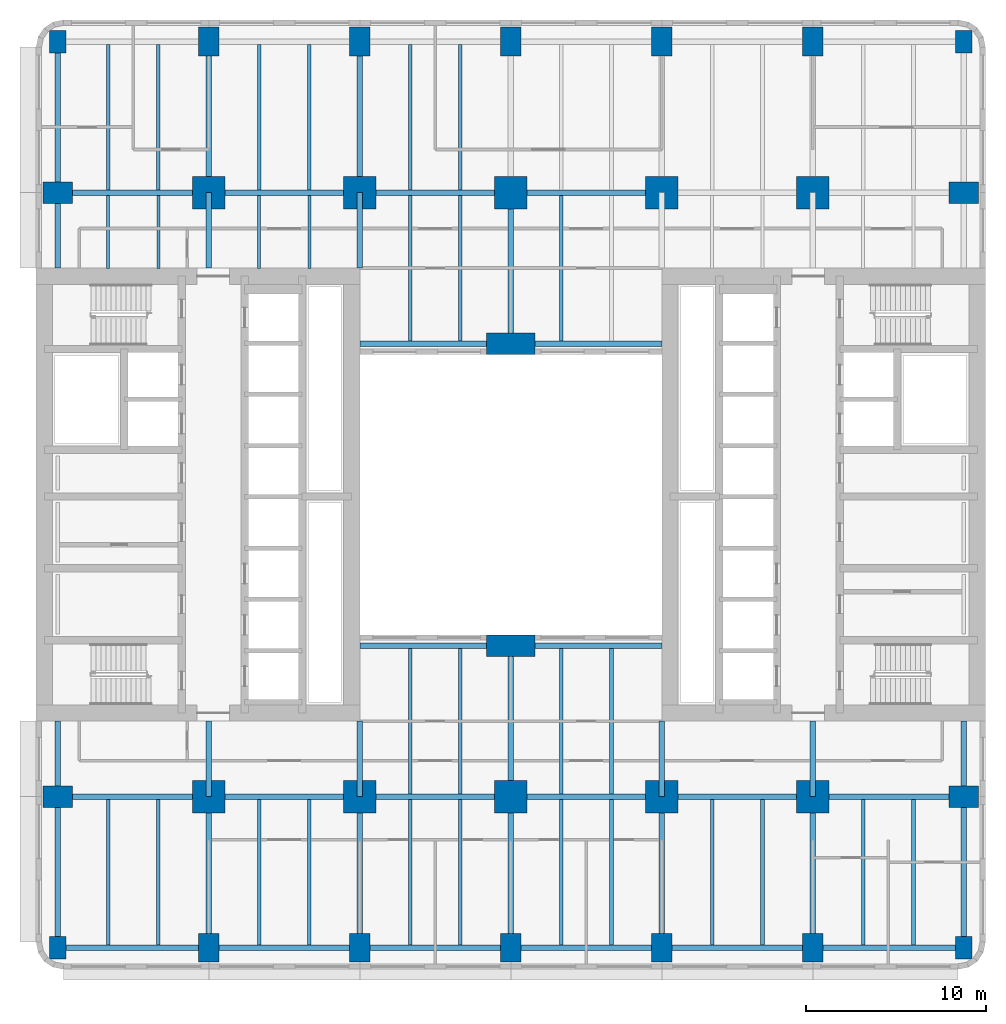
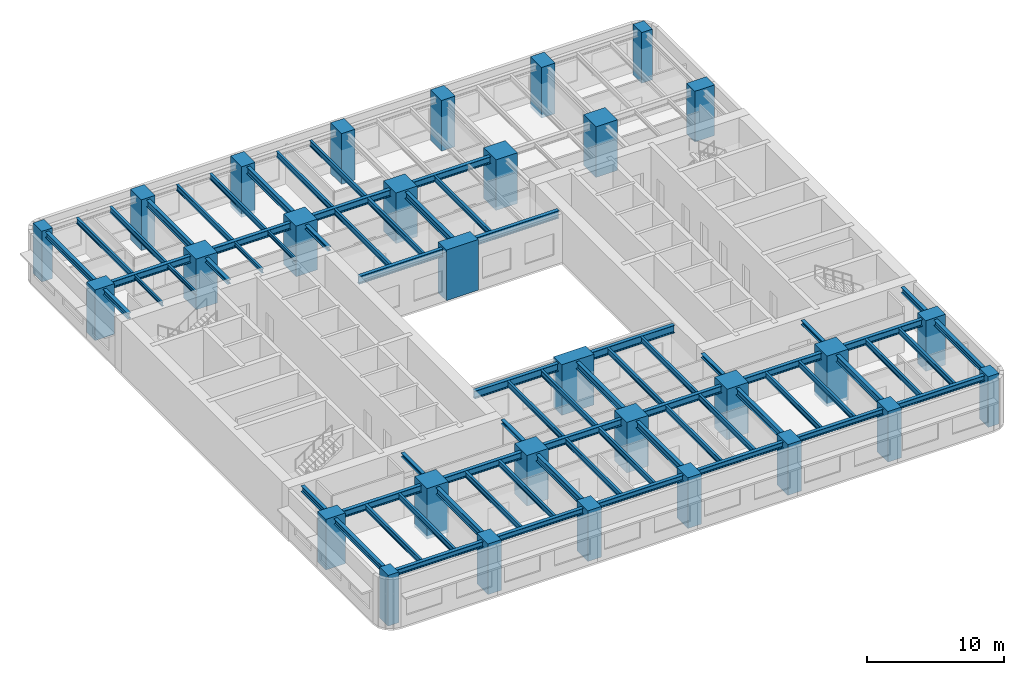
# One storey, part 1 of 14: 70 beams, 30 columns.
"""IFC4 building model written with IfcOpenShell, lengths in metres."""

from ifc_helpers import new_model, si_unit, direction, frame, origin, origin_2d, place, context, subcontext, project, spatial, rectangle, i_section, extrude, material, material_profile, profile_set, type_object, element, save


model = new_model("IFC4")

# Units and contexts
model_context = context("Model", 3, precision=1e-05, world=origin(), true_north=direction((0.0, 1.0)))
body_context = subcontext(model_context, "Body", "Model", "MODEL_VIEW")
ifc_project = project(units=[si_unit("LENGTHUNIT", "METRE"), si_unit("AREAUNIT", "SQUARE_METRE"), si_unit("VOLUMEUNIT", "CUBIC_METRE"), si_unit("PLANEANGLEUNIT", "RADIAN"), si_unit("MASSUNIT", "GRAM", prefix="KILO")], contexts=[model_context])

# Site, building, storey
site_placement = place(None, origin())
site = spatial("IfcSite", under=ifc_project, at=site_placement, CompositionType="ELEMENT")
building_placement = place(site_placement, origin())
building = spatial("IfcBuilding", under=site, at=building_placement, Name="Claustro Exchange Tower", CompositionType="ELEMENT")
storey_placement = place(building_placement, frame((0.0, 0.0, 59.39990234375)))
storey = spatial("IfcBuildingStorey", under=building, at=storey_placement, Name="L13", CompositionType="ELEMENT", Elevation=59.39990234375)

# Columns
ifc_material_1 = material(Name="Concrete HA-70 (C70/85)", Category="concrete")
ifc_material_profile_1 = material_profile(ifc_material_1, rectangle(XDim=1.800048828125, YDim=1.800048828125, at=origin_2d()), Name="RC 1800x1800")
ifc_profile_set_1 = profile_set([ifc_material_profile_1], Name="Concrete HA-70 (C70/85)")
column_type_1 = type_object("IfcColumnType", Name="C14 RC 1800x1800 HA-70 column", PredefinedType="COLUMN", material=ifc_profile_set_1)
for number, where, z_axis, x_axis, name in (
    (1, (8.39990234375, 8.39990234375, 0.0), (0.0, 0.0, 1.0), (1.0, 0.0, 0.0), "Column C14 2/B L13"),
    (2, (8.39990234375, 42.0, 0.0), (0.0, 0.0, 1.0), (1.0, 0.0, 0.0), "Column C14 2/F L13"),
    (3, (16.800048828125, 8.39990234375, 0.0), (0.0, 0.0, 1.0), (1.0, 0.0, 0.0), "Column C14 3/B L13"),
    (4, (16.800048828125, 42.0, 0.0), (0.0, 0.0, 1.0), (1.0, 0.0, 0.0), "Column C14 3/F L13"),
    (5, (25.199951171875, 8.39990234375, 0.0), (0.0, 0.0, 1.0), (1.0, 0.0, 0.0), "Column C14 4/B L13"),
    (6, (25.199951171875, 42.0, 0.0), (0.0, 0.0, 1.0), (1.0, 0.0, 0.0), "Column C14 4/F L13"),
    (7, (33.60009765625, 8.39990234375, 0.0), (0.0, 0.0, 1.0), (1.0, 0.0, 0.0), "Column C14 5/B L13"),
    (8, (33.60009765625, 42.0, 0.0), (0.0, 0.0, 1.0), (1.0, 0.0, 0.0), "Column C14 5/F L13"),
    (9, (42.0, 8.39990234375, 0.0), (0.0, 0.0, 1.0), (1.0, 0.0, 0.0), "Column C14 6/B L13"),
    (10, (42.0, 42.0, 0.0), (0.0, 0.0, 1.0), (1.0, 0.0, 0.0), "Column C14 6/F L13"),
):
    element("IfcColumn", number, at=place(storey_placement, frame(where, z_axis=z_axis, x_axis=x_axis)), inside=storey, type_object=column_type_1, Name=name, PredefinedType="COLUMN", context=body_context, shape_type="SweptSolid", body=[
        extrude(rectangle(XDim=1.800048828125, YDim=1.800048828125, at=origin_2d()), origin(), (0.0, 0.0, 1.0), 4.5),
    ])
ifc_material_2 = material(Name="Concrete HA-70 (C70/85)", Category="concrete")
ifc_material_profile_2 = material_profile(ifc_material_2, rectangle(XDim=1.199951171875, YDim=1.64990234375, at=origin_2d()), Name="RC 1200x1650")
ifc_profile_set_2 = profile_set([ifc_material_profile_2], Name="Concrete HA-70 (C70/85)")
column_type_2 = type_object("IfcColumnType", Name="C19 RC 1200x1650 HA-70 perimeter column", PredefinedType="COLUMN", material=ifc_profile_set_2)
for number, where, z_axis, x_axis, name in (
    (11, (0.0, 8.39990234375, 0.0), (0.0, 0.0, 1.0), (0.0, 1.0, 0.0), "Column C19 1/B L13"),
    (12, (0.0, 42.0, 0.0), (0.0, 0.0, 1.0), (0.0, 1.0, 0.0), "Column C19 1/F L13"),
    (13, (50.39990234375, 8.39990234375, 0.0), (0.0, 0.0, 1.0), (0.0, 1.0, 0.0), "Column C19 7/B L13"),
    (14, (50.39990234375, 42.0, 0.0), (0.0, 0.0, 1.0), (0.0, 1.0, 0.0), "Column C19 7/F L13"),
):
    element("IfcColumn", number, at=place(storey_placement, frame(where, z_axis=z_axis, x_axis=x_axis)), inside=storey, type_object=column_type_2, Name=name, PredefinedType="COLUMN", context=body_context, shape_type="SweptSolid", body=[
        extrude(rectangle(XDim=1.199951171875, YDim=1.64990234375, at=origin_2d()), origin(), (0.0, 0.0, 1.0), 4.5),
    ])
ifc_material_3 = material(Name="Concrete HA-70 (C70/85)", Category="concrete")
ifc_material_profile_3 = material_profile(ifc_material_3, rectangle(XDim=1.14990234375, YDim=1.60009765625, at=origin_2d()), Name="RC 1150x1600")
ifc_profile_set_3 = profile_set([ifc_material_profile_3], Name="Concrete HA-70 (C70/85)")
column_type_3 = type_object("IfcColumnType", Name="C20 RC 1150x1600 HA-70 perimeter column", PredefinedType="COLUMN", material=ifc_profile_set_3)
for number, where, z_axis, x_axis, name in (
    (15, (8.39990234375, 0.0, 0.0), (0.0, 0.0, 1.0), (1.0, 0.0, 0.0), "Column C20 2/A L13"),
    (16, (8.39990234375, 50.39990234375, 0.0), (0.0, 0.0, 1.0), (1.0, 0.0, 0.0), "Column C20 2/G L13"),
    (17, (16.800048828125, 0.0, 0.0), (0.0, 0.0, 1.0), (1.0, 0.0, 0.0), "Column C20 3/A L13"),
    (18, (16.800048828125, 50.39990234375, 0.0), (0.0, 0.0, 1.0), (1.0, 0.0, 0.0), "Column C20 3/G L13"),
    (19, (25.199951171875, 0.0, 0.0), (0.0, 0.0, 1.0), (1.0, 0.0, 0.0), "Column C20 4/A L13"),
    (20, (25.199951171875, 50.39990234375, 0.0), (0.0, 0.0, 1.0), (1.0, 0.0, 0.0), "Column C20 4/G L13"),
    (21, (33.60009765625, 0.0, 0.0), (0.0, 0.0, 1.0), (1.0, 0.0, 0.0), "Column C20 5/A L13"),
    (22, (33.60009765625, 50.39990234375, 0.0), (0.0, 0.0, 1.0), (1.0, 0.0, 0.0), "Column C20 5/G L13"),
    (23, (42.0, 0.0, 0.0), (0.0, 0.0, 1.0), (1.0, 0.0, 0.0), "Column C20 6/A L13"),
    (24, (42.0, 50.39990234375, 0.0), (0.0, 0.0, 1.0), (1.0, 0.0, 0.0), "Column C20 6/G L13"),
):
    element("IfcColumn", number, at=place(storey_placement, frame(where, z_axis=z_axis, x_axis=x_axis)), inside=storey, type_object=column_type_3, Name=name, PredefinedType="COLUMN", context=body_context, shape_type="SweptSolid", body=[
        extrude(rectangle(XDim=1.14990234375, YDim=1.60009765625, at=origin_2d()), origin(), (0.0, 0.0, 1.0), 4.5),
    ])
ifc_material_4 = material(Name="Concrete HA-70 (C70/85)", Category="concrete")
ifc_material_profile_4 = material_profile(ifc_material_4, rectangle(XDim=2.699951171875, YDim=1.199951171875, at=origin_2d()), Name="RC 2700x1200")
ifc_profile_set_4 = profile_set([ifc_material_profile_4], Name="Concrete HA-70 (C70/85)")
column_type_4 = type_object("IfcColumnType", Name="C30 RC 2700x1200 HA-70 light well column", PredefinedType="COLUMN", material=ifc_profile_set_4)
for number, where, z_axis, x_axis, name in (
    (25, (25.199951171875, 16.800048828125, 0.0), (0.0, 0.0, 1.0), (1.0, 0.0, 0.0), "Column C30 4/C L13"),
    (26, (25.199951171875, 33.60009765625, 0.0), (0.0, 0.0, 1.0), (1.0, 0.0, 0.0), "Column C30 4/E L13"),
):
    element("IfcColumn", number, at=place(storey_placement, frame(where, z_axis=z_axis, x_axis=x_axis)), inside=storey, type_object=column_type_4, Name=name, PredefinedType="COLUMN", context=body_context, shape_type="SweptSolid", body=[
        extrude(rectangle(XDim=2.699951171875, YDim=1.199951171875, at=origin_2d()), origin(), (0.0, 0.0, 1.0), 4.5),
    ])
ifc_material_5 = material(Name="Concrete HA-70 (C70/85)", Category="concrete")
ifc_material_profile_5 = material_profile(ifc_material_5, rectangle(XDim=0.89990234375, YDim=1.25, at=origin_2d()), Name="RC 900x1250")
ifc_profile_set_5 = profile_set([ifc_material_profile_5], Name="Concrete HA-70 (C70/85)")
column_type_5 = type_object("IfcColumnType", Name="C35 RC 900x1250 HA-70 corner column", PredefinedType="COLUMN", material=ifc_profile_set_5)
for number, where, z_axis, x_axis, name in (
    (27, (0.0, 0.0, 0.0), (0.0, 0.0, 1.0), (1.0, 0.0, 0.0), "Column C35 1/A L13"),
    (28, (0.0, 50.39990234375, 0.0), (0.0, 0.0, 1.0), (1.0, 0.0, 0.0), "Column C35 1/G L13"),
    (29, (50.39990234375, 0.0, 0.0), (0.0, 0.0, 1.0), (1.0, 0.0, 0.0), "Column C35 7/A L13"),
    (30, (50.39990234375, 50.39990234375, 0.0), (0.0, 0.0, 1.0), (1.0, 0.0, 0.0), "Column C35 7/G L13"),
):
    element("IfcColumn", number, at=place(storey_placement, frame(where, z_axis=z_axis, x_axis=x_axis)), inside=storey, type_object=column_type_5, Name=name, PredefinedType="COLUMN", context=body_context, shape_type="SweptSolid", body=[
        extrude(rectangle(XDim=0.89990234375, YDim=1.25, at=origin_2d()), origin(), (0.0, 0.0, 1.0), 4.5),
    ])

# Beams
ifc_material_6 = material(Name="Steel S355", Category="steel")
ifc_material_profile_6 = material_profile(ifc_material_6, i_section(OverallWidth=0.300048828125, OverallDepth=0.60009765625, WebThickness=0.015380859375, FlangeThickness=0.030029296875, FilletRadius=0.027099609375, at=origin_2d()), Name="HE 600 B")
ifc_profile_set_6 = profile_set([ifc_material_profile_6], Name="Steel S355")
beam_type_1 = type_object("IfcBeamType", Name="B1 HE 600 B floor girder", PredefinedType="BEAM", material=ifc_profile_set_6)
for number, where, z_axis, x_axis, name in (
    (31, (8.39990234375, 0.0, 4.0400390625), (0.0, 1.0, 0.0), (-1.0, 0.0, 0.0), "Beam B1 L14"),
    (32, (8.39990234375, 42.0, 4.0400390625), (0.0, 1.0, 0.0), (-1.0, 0.0, 0.0), "Beam B1 L14"),
    (33, (16.800048828125, 0.0, 4.0400390625), (0.0, 1.0, 0.0), (-1.0, 0.0, 0.0), "Beam B1 L14"),
    (34, (16.800048828125, 42.0, 4.0400390625), (0.0, 1.0, 0.0), (-1.0, 0.0, 0.0), "Beam B1 L14"),
    (35, (25.199951171875, 0.0, 4.0400390625), (0.0, 1.0, 0.0), (-1.0, 0.0, 0.0), "Beam B1 L14"),
):
    element("IfcBeam", number, at=place(storey_placement, frame(where, z_axis=z_axis, x_axis=x_axis)), inside=storey, type_object=beam_type_1, Name=name, PredefinedType="BEAM", context=body_context, shape_type="SweptSolid", body=[
        extrude(i_section(OverallWidth=0.300048828125, OverallDepth=0.60009765625, WebThickness=0.015380859375, FlangeThickness=0.030029296875, FilletRadius=0.027099609375, at=origin_2d()), origin(), (0.0, 0.0, 1.0), 8.39990234375),
    ])
beam_1_placement = place(storey_placement, frame((25.199951171875, 8.39990234375, 4.0400390625), z_axis=(0.0, 1.0, 0.0), x_axis=(-1.0, 0.0, 0.0)))
element("IfcBeam", 36, at=beam_1_placement, inside=storey, type_object=beam_type_1, Name="Beam B1 L14", PredefinedType="BEAM", context=body_context, shape_type="SweptSolid", body=[
    extrude(i_section(OverallWidth=0.300048828125, OverallDepth=0.60009765625, WebThickness=0.015380859375, FlangeThickness=0.030029296875, FilletRadius=0.027099609375, at=origin_2d()), origin(), (0.0, 0.0, 1.0), 8.400146484375),
])
for number, where, z_axis, x_axis, name in (
    (37, (25.199951171875, 33.60009765625, 4.0400390625), (0.0, 1.0, 0.0), (-1.0, 0.0, 0.0), "Beam B1 L14"),
    (38, (33.60009765625, 0.0, 4.0400390625), (0.0, 1.0, 0.0), (-1.0, 0.0, 0.0), "Beam B1 L14"),
    (39, (42.0, 0.0, 4.0400390625), (0.0, 1.0, 0.0), (-1.0, 0.0, 0.0), "Beam B1 L14"),
    (40, (0.0, 8.39990234375, 4.0400390625), (1.0, 0.0, 0.0), (0.0, 1.0, 0.0), "Beam B1 L14"),
):
    element("IfcBeam", number, at=place(storey_placement, frame(where, z_axis=z_axis, x_axis=x_axis)), inside=storey, type_object=beam_type_1, Name=name, PredefinedType="BEAM", context=body_context, shape_type="SweptSolid", body=[
        extrude(i_section(OverallWidth=0.300048828125, OverallDepth=0.60009765625, WebThickness=0.015380859375, FlangeThickness=0.030029296875, FilletRadius=0.027099609375, at=origin_2d()), origin(), (0.0, 0.0, 1.0), 8.39990234375),
    ])
beam_2_placement = place(storey_placement, frame((8.39990234375, 8.39990234375, 4.0400390625), z_axis=(1.0, 0.0, 0.0), x_axis=(0.0, 1.0, 0.0)))
element("IfcBeam", 41, at=beam_2_placement, inside=storey, type_object=beam_type_1, Name="Beam B1 L14", PredefinedType="BEAM", context=body_context, shape_type="SweptSolid", body=[
    extrude(i_section(OverallWidth=0.300048828125, OverallDepth=0.60009765625, WebThickness=0.015380859375, FlangeThickness=0.030029296875, FilletRadius=0.027099609375, at=origin_2d()), origin(), (0.0, 0.0, 1.0), 8.400146484375),
])
beam_3_placement = place(storey_placement, frame((16.800048828125, 8.39990234375, 4.0400390625), z_axis=(1.0, 0.0, 0.0), x_axis=(0.0, 1.0, 0.0)))
element("IfcBeam", 42, at=beam_3_placement, inside=storey, type_object=beam_type_1, Name="Beam B1 L14", PredefinedType="BEAM", context=body_context, shape_type="SweptSolid", body=[
    extrude(i_section(OverallWidth=0.300048828125, OverallDepth=0.60009765625, WebThickness=0.015380859375, FlangeThickness=0.030029296875, FilletRadius=0.027099609375, at=origin_2d()), origin(), (0.0, 0.0, 1.0), 8.39990234375),
])
beam_4_placement = place(storey_placement, frame((25.199951171875, 8.39990234375, 4.0400390625), z_axis=(1.0, 0.0, 0.0), x_axis=(0.0, 1.0, 0.0)))
element("IfcBeam", 43, at=beam_4_placement, inside=storey, type_object=beam_type_1, Name="Beam B1 L14", PredefinedType="BEAM", context=body_context, shape_type="SweptSolid", body=[
    extrude(i_section(OverallWidth=0.300048828125, OverallDepth=0.60009765625, WebThickness=0.015380859375, FlangeThickness=0.030029296875, FilletRadius=0.027099609375, at=origin_2d()), origin(), (0.0, 0.0, 1.0), 8.400146484375),
])
for number, where, z_axis, x_axis, name in (
    (44, (33.60009765625, 8.39990234375, 4.0400390625), (1.0, 0.0, 0.0), (0.0, 1.0, 0.0), "Beam B1 L14"),
    (45, (42.0, 8.39990234375, 4.0400390625), (1.0, 0.0, 0.0), (0.0, 1.0, 0.0), "Beam B1 L14"),
    (46, (0.0, 42.0, 4.0400390625), (1.0, 0.0, 0.0), (0.0, 1.0, 0.0), "Beam B1 L14"),
):
    element("IfcBeam", number, at=place(storey_placement, frame(where, z_axis=z_axis, x_axis=x_axis)), inside=storey, type_object=beam_type_1, Name=name, PredefinedType="BEAM", context=body_context, shape_type="SweptSolid", body=[
        extrude(i_section(OverallWidth=0.300048828125, OverallDepth=0.60009765625, WebThickness=0.015380859375, FlangeThickness=0.030029296875, FilletRadius=0.027099609375, at=origin_2d()), origin(), (0.0, 0.0, 1.0), 8.39990234375),
    ])
beam_5_placement = place(storey_placement, frame((8.39990234375, 42.0, 4.0400390625), z_axis=(1.0, 0.0, 0.0), x_axis=(0.0, 1.0, 0.0)))
element("IfcBeam", 47, at=beam_5_placement, inside=storey, type_object=beam_type_1, Name="Beam B1 L14", PredefinedType="BEAM", context=body_context, shape_type="SweptSolid", body=[
    extrude(i_section(OverallWidth=0.300048828125, OverallDepth=0.60009765625, WebThickness=0.015380859375, FlangeThickness=0.030029296875, FilletRadius=0.027099609375, at=origin_2d()), origin(), (0.0, 0.0, 1.0), 8.400146484375),
])
beam_6_placement = place(storey_placement, frame((16.800048828125, 42.0, 4.0400390625), z_axis=(1.0, 0.0, 0.0), x_axis=(0.0, 1.0, 0.0)))
element("IfcBeam", 48, at=beam_6_placement, inside=storey, type_object=beam_type_1, Name="Beam B1 L14", PredefinedType="BEAM", context=body_context, shape_type="SweptSolid", body=[
    extrude(i_section(OverallWidth=0.300048828125, OverallDepth=0.60009765625, WebThickness=0.015380859375, FlangeThickness=0.030029296875, FilletRadius=0.027099609375, at=origin_2d()), origin(), (0.0, 0.0, 1.0), 8.39990234375),
])
beam_7_placement = place(storey_placement, frame((25.199951171875, 42.0, 4.0400390625), z_axis=(1.0, 0.0, 0.0), x_axis=(0.0, 1.0, 0.0)))
element("IfcBeam", 49, at=beam_7_placement, inside=storey, type_object=beam_type_1, Name="Beam B1 L14", PredefinedType="BEAM", context=body_context, shape_type="SweptSolid", body=[
    extrude(i_section(OverallWidth=0.300048828125, OverallDepth=0.60009765625, WebThickness=0.015380859375, FlangeThickness=0.030029296875, FilletRadius=0.027099609375, at=origin_2d()), origin(), (0.0, 0.0, 1.0), 8.400146484375),
])
ifc_material_7 = material(Name="Steel S355", Category="steel")
ifc_material_profile_7 = material_profile(ifc_material_7, i_section(OverallWidth=0.300048828125, OverallDepth=0.68994140625, WebThickness=0.014404296875, FlangeThickness=0.027099609375, FilletRadius=0.027099609375, at=origin_2d()), Name="HE 700 A")
ifc_profile_set_7 = profile_set([ifc_material_profile_7], Name="Steel S355")
beam_type_2 = type_object("IfcBeamType", Name="B13 HE 700 A light well edge girder", PredefinedType="BEAM", material=ifc_profile_set_7)
beam_8_placement = place(storey_placement, frame((16.800048828125, 16.800048828125, 3.9951171875), z_axis=(1.0, 0.0, 0.0), x_axis=(0.0, 1.0, 0.0)))
element("IfcBeam", 50, at=beam_8_placement, inside=storey, type_object=beam_type_2, Name="Beam B13 L14", PredefinedType="BEAM", context=body_context, shape_type="SweptSolid", body=[
    extrude(i_section(OverallWidth=0.300048828125, OverallDepth=0.68994140625, WebThickness=0.014404296875, FlangeThickness=0.027099609375, FilletRadius=0.027099609375, at=origin_2d()), origin(), (0.0, 0.0, 1.0), 8.39990234375),
])
beam_9_placement = place(storey_placement, frame((25.199951171875, 16.800048828125, 3.9951171875), z_axis=(1.0, 0.0, 0.0), x_axis=(0.0, 1.0, 0.0)))
element("IfcBeam", 51, at=beam_9_placement, inside=storey, type_object=beam_type_2, Name="Beam B13 L14", PredefinedType="BEAM", context=body_context, shape_type="SweptSolid", body=[
    extrude(i_section(OverallWidth=0.300048828125, OverallDepth=0.68994140625, WebThickness=0.014404296875, FlangeThickness=0.027099609375, FilletRadius=0.027099609375, at=origin_2d()), origin(), (0.0, 0.0, 1.0), 8.400146484375),
])
beam_10_placement = place(storey_placement, frame((16.800048828125, 33.60009765625, 3.9951171875), z_axis=(1.0, 0.0, 0.0), x_axis=(0.0, 1.0, 0.0)))
element("IfcBeam", 52, at=beam_10_placement, inside=storey, type_object=beam_type_2, Name="Beam B13 L14", PredefinedType="BEAM", context=body_context, shape_type="SweptSolid", body=[
    extrude(i_section(OverallWidth=0.300048828125, OverallDepth=0.68994140625, WebThickness=0.014404296875, FlangeThickness=0.027099609375, FilletRadius=0.027099609375, at=origin_2d()), origin(), (0.0, 0.0, 1.0), 8.39990234375),
])
beam_11_placement = place(storey_placement, frame((25.199951171875, 33.60009765625, 3.9951171875), z_axis=(1.0, 0.0, 0.0), x_axis=(0.0, 1.0, 0.0)))
element("IfcBeam", 53, at=beam_11_placement, inside=storey, type_object=beam_type_2, Name="Beam B13 L14", PredefinedType="BEAM", context=body_context, shape_type="SweptSolid", body=[
    extrude(i_section(OverallWidth=0.300048828125, OverallDepth=0.68994140625, WebThickness=0.014404296875, FlangeThickness=0.027099609375, FilletRadius=0.027099609375, at=origin_2d()), origin(), (0.0, 0.0, 1.0), 8.400146484375),
])
ifc_material_8 = material(Name="Steel S355", Category="steel")
ifc_material_profile_8 = material_profile(ifc_material_8, i_section(OverallWidth=0.169921875, OverallDepth=0.360107421875, WebThickness=0.008056640625, FlangeThickness=0.0126953125, FilletRadius=0.01806640625, at=origin_2d()), Name="IPE 360")
ifc_profile_set_8 = profile_set([ifc_material_profile_8], Name="Steel S355")
beam_type_3 = type_object("IfcBeamType", Name="B16 IPE 360 short-span beam", PredefinedType="BEAM", material=ifc_profile_set_8)
for number, where, z_axis, x_axis, name in (
    (54, (2.800048828125, 37.7900390625, 4.16015625), (0.0, 1.0, 0.0), (-1.0, 0.0, 0.0), "Beam B16 L14"),
    (55, (5.60009765625, 37.7900390625, 4.16015625), (0.0, 1.0, 0.0), (-1.0, 0.0, 0.0), "Beam B16 L14"),
    (56, (11.199951171875, 37.7900390625, 4.16015625), (0.0, 1.0, 0.0), (-1.0, 0.0, 0.0), "Beam B16 L14"),
    (57, (14.0, 37.7900390625, 4.16015625), (0.0, 1.0, 0.0), (-1.0, 0.0, 0.0), "Beam B16 L14"),
):
    element("IfcBeam", number, at=place(storey_placement, frame(where, z_axis=z_axis, x_axis=x_axis)), inside=storey, type_object=beam_type_3, Name=name, PredefinedType="BEAM", context=body_context, shape_type="SweptSolid", body=[
        extrude(i_section(OverallWidth=0.169921875, OverallDepth=0.360107421875, WebThickness=0.008056640625, FlangeThickness=0.0126953125, FilletRadius=0.01806640625, at=origin_2d()), origin(), (0.0, 0.0, 1.0), 4.06005859375),
    ])
ifc_material_9 = material(Name="Steel S355", Category="steel")
ifc_material_profile_9 = material_profile(ifc_material_9, i_section(OverallWidth=0.199951171875, OverallDepth=0.5, WebThickness=0.01025390625, FlangeThickness=0.01611328125, FilletRadius=0.02099609375, at=origin_2d()), Name="IPE 500")
ifc_profile_set_9 = profile_set([ifc_material_profile_9], Name="Steel S355")
beam_type_4 = type_object("IfcBeamType", Name="B2 IPE 500 secondary beam", PredefinedType="BEAM", material=ifc_profile_set_9)
for number, where, z_axis, x_axis, name in (
    (58, (2.800048828125, 0.14990234375, 4.090087890625), (0.0, 1.0, 0.0), (-1.0, 0.0, 0.0), "Beam B2 L14"),
    (59, (5.60009765625, 0.14990234375, 4.090087890625), (0.0, 1.0, 0.0), (-1.0, 0.0, 0.0), "Beam B2 L14"),
    (60, (2.800048828125, 42.14990234375, 4.090087890625), (0.0, 1.0, 0.0), (-1.0, 0.0, 0.0), "Beam B2 L14"),
    (61, (5.60009765625, 42.14990234375, 4.090087890625), (0.0, 1.0, 0.0), (-1.0, 0.0, 0.0), "Beam B2 L14"),
    (62, (11.199951171875, 0.14990234375, 4.090087890625), (0.0, 1.0, 0.0), (-1.0, 0.0, 0.0), "Beam B2 L14"),
    (63, (14.0, 0.14990234375, 4.090087890625), (0.0, 1.0, 0.0), (-1.0, 0.0, 0.0), "Beam B2 L14"),
    (64, (11.199951171875, 42.14990234375, 4.090087890625), (0.0, 1.0, 0.0), (-1.0, 0.0, 0.0), "Beam B2 L14"),
    (65, (14.0, 42.14990234375, 4.090087890625), (0.0, 1.0, 0.0), (-1.0, 0.0, 0.0), "Beam B2 L14"),
    (66, (19.60009765625, 0.14990234375, 4.090087890625), (0.0, 1.0, 0.0), (-1.0, 0.0, 0.0), "Beam B2 L14"),
    (67, (22.39990234375, 0.14990234375, 4.090087890625), (0.0, 1.0, 0.0), (-1.0, 0.0, 0.0), "Beam B2 L14"),
):
    element("IfcBeam", number, at=place(storey_placement, frame(where, z_axis=z_axis, x_axis=x_axis)), inside=storey, type_object=beam_type_4, Name=name, PredefinedType="BEAM", context=body_context, shape_type="SweptSolid", body=[
        extrude(i_section(OverallWidth=0.199951171875, OverallDepth=0.5, WebThickness=0.01025390625, FlangeThickness=0.01611328125, FilletRadius=0.02099609375, at=origin_2d()), origin(), (0.0, 0.0, 1.0), 8.10009765625),
    ])
for number, where, z_axis, x_axis, name in (
    (68, (19.60009765625, 8.550048828125, 4.090087890625), (0.0, 1.0, 0.0), (-1.0, 0.0, 0.0), "Beam B2 L14"),
    (69, (22.39990234375, 8.550048828125, 4.090087890625), (0.0, 1.0, 0.0), (-1.0, 0.0, 0.0), "Beam B2 L14"),
):
    element("IfcBeam", number, at=place(storey_placement, frame(where, z_axis=z_axis, x_axis=x_axis)), inside=storey, type_object=beam_type_4, Name=name, PredefinedType="BEAM", context=body_context, shape_type="SweptSolid", body=[
        extrude(i_section(OverallWidth=0.199951171875, OverallDepth=0.5, WebThickness=0.01025390625, FlangeThickness=0.01611328125, FilletRadius=0.02099609375, at=origin_2d()), origin(), (0.0, 0.0, 1.0), 8.099853515625),
    ])
for number, where, z_axis, x_axis, name in (
    (70, (19.60009765625, 33.75, 4.090087890625), (0.0, 1.0, 0.0), (-1.0, 0.0, 0.0), "Beam B2 L14"),
    (71, (22.39990234375, 33.75, 4.090087890625), (0.0, 1.0, 0.0), (-1.0, 0.0, 0.0), "Beam B2 L14"),
    (72, (19.60009765625, 42.14990234375, 4.090087890625), (0.0, 1.0, 0.0), (-1.0, 0.0, 0.0), "Beam B2 L14"),
    (73, (22.39990234375, 42.14990234375, 4.090087890625), (0.0, 1.0, 0.0), (-1.0, 0.0, 0.0), "Beam B2 L14"),
    (74, (28.0, 0.14990234375, 4.090087890625), (0.0, 1.0, 0.0), (-1.0, 0.0, 0.0), "Beam B2 L14"),
    (75, (30.800048828125, 0.14990234375, 4.090087890625), (0.0, 1.0, 0.0), (-1.0, 0.0, 0.0), "Beam B2 L14"),
):
    element("IfcBeam", number, at=place(storey_placement, frame(where, z_axis=z_axis, x_axis=x_axis)), inside=storey, type_object=beam_type_4, Name=name, PredefinedType="BEAM", context=body_context, shape_type="SweptSolid", body=[
        extrude(i_section(OverallWidth=0.199951171875, OverallDepth=0.5, WebThickness=0.01025390625, FlangeThickness=0.01611328125, FilletRadius=0.02099609375, at=origin_2d()), origin(), (0.0, 0.0, 1.0), 8.10009765625),
    ])
for number, where, z_axis, x_axis, name in (
    (76, (28.0, 8.550048828125, 4.090087890625), (0.0, 1.0, 0.0), (-1.0, 0.0, 0.0), "Beam B2 L14"),
    (77, (30.800048828125, 8.550048828125, 4.090087890625), (0.0, 1.0, 0.0), (-1.0, 0.0, 0.0), "Beam B2 L14"),
):
    element("IfcBeam", number, at=place(storey_placement, frame(where, z_axis=z_axis, x_axis=x_axis)), inside=storey, type_object=beam_type_4, Name=name, PredefinedType="BEAM", context=body_context, shape_type="SweptSolid", body=[
        extrude(i_section(OverallWidth=0.199951171875, OverallDepth=0.5, WebThickness=0.01025390625, FlangeThickness=0.01611328125, FilletRadius=0.02099609375, at=origin_2d()), origin(), (0.0, 0.0, 1.0), 8.099853515625),
    ])
for number, where, z_axis, x_axis, name in (
    (78, (28.0, 33.75, 4.090087890625), (0.0, 1.0, 0.0), (-1.0, 0.0, 0.0), "Beam B2 L14"),
    (79, (36.39990234375, 0.14990234375, 4.090087890625), (0.0, 1.0, 0.0), (-1.0, 0.0, 0.0), "Beam B2 L14"),
    (80, (39.199951171875, 0.14990234375, 4.090087890625), (0.0, 1.0, 0.0), (-1.0, 0.0, 0.0), "Beam B2 L14"),
    (81, (44.800048828125, 0.14990234375, 4.090087890625), (0.0, 1.0, 0.0), (-1.0, 0.0, 0.0), "Beam B2 L14"),
    (82, (47.60009765625, 0.14990234375, 4.090087890625), (0.0, 1.0, 0.0), (-1.0, 0.0, 0.0), "Beam B2 L14"),
):
    element("IfcBeam", number, at=place(storey_placement, frame(where, z_axis=z_axis, x_axis=x_axis)), inside=storey, type_object=beam_type_4, Name=name, PredefinedType="BEAM", context=body_context, shape_type="SweptSolid", body=[
        extrude(i_section(OverallWidth=0.199951171875, OverallDepth=0.5, WebThickness=0.01025390625, FlangeThickness=0.01611328125, FilletRadius=0.02099609375, at=origin_2d()), origin(), (0.0, 0.0, 1.0), 8.10009765625),
    ])
ifc_material_10 = material(Name="Steel S355", Category="steel")
ifc_material_profile_10 = material_profile(ifc_material_10, i_section(OverallWidth=0.300048828125, OverallDepth=0.360107421875, WebThickness=0.012451171875, FlangeThickness=0.0224609375, FilletRadius=0.027099609375, at=origin_2d()), Name="HE 360 B")
ifc_profile_set_10 = profile_set([ifc_material_profile_10], Name="Steel S355")
beam_type_5 = type_object("IfcBeamType", Name="B29 HE 360 B column to core link beam", PredefinedType="BEAM", material=ifc_profile_set_10)
beam_12_placement = place(storey_placement, frame((8.39990234375, 8.39990234375, 4.16015625), z_axis=(0.0, 1.0, 0.0), x_axis=(-1.0, 0.0, 0.0)))
element("IfcBeam", 83, at=beam_12_placement, inside=storey, type_object=beam_type_5, Name="Beam B29 L14", PredefinedType="BEAM", context=body_context, shape_type="SweptSolid", body=[
    extrude(i_section(OverallWidth=0.300048828125, OverallDepth=0.360107421875, WebThickness=0.012451171875, FlangeThickness=0.0224609375, FilletRadius=0.027099609375, at=origin_2d()), origin(), (0.0, 0.0, 1.0), 4.2001953125),
])
beam_13_placement = place(storey_placement, frame((8.39990234375, 37.800048828125, 4.16015625), z_axis=(0.0, 1.0, 0.0), x_axis=(-1.0, 0.0, 0.0)))
element("IfcBeam", 84, at=beam_13_placement, inside=storey, type_object=beam_type_5, Name="Beam B29 L14", PredefinedType="BEAM", context=body_context, shape_type="SweptSolid", body=[
    extrude(i_section(OverallWidth=0.300048828125, OverallDepth=0.360107421875, WebThickness=0.012451171875, FlangeThickness=0.0224609375, FilletRadius=0.027099609375, at=origin_2d()), origin(), (0.0, 0.0, 1.0), 4.199951171875),
])
beam_14_placement = place(storey_placement, frame((16.800048828125, 8.39990234375, 4.16015625), z_axis=(0.0, 1.0, 0.0), x_axis=(-1.0, 0.0, 0.0)))
element("IfcBeam", 85, at=beam_14_placement, inside=storey, type_object=beam_type_5, Name="Beam B29 L14", PredefinedType="BEAM", context=body_context, shape_type="SweptSolid", body=[
    extrude(i_section(OverallWidth=0.300048828125, OverallDepth=0.360107421875, WebThickness=0.012451171875, FlangeThickness=0.0224609375, FilletRadius=0.027099609375, at=origin_2d()), origin(), (0.0, 0.0, 1.0), 4.2001953125),
])
beam_15_placement = place(storey_placement, frame((16.800048828125, 37.800048828125, 4.16015625), z_axis=(0.0, 1.0, 0.0), x_axis=(-1.0, 0.0, 0.0)))
element("IfcBeam", 86, at=beam_15_placement, inside=storey, type_object=beam_type_5, Name="Beam B29 L14", PredefinedType="BEAM", context=body_context, shape_type="SweptSolid", body=[
    extrude(i_section(OverallWidth=0.300048828125, OverallDepth=0.360107421875, WebThickness=0.012451171875, FlangeThickness=0.0224609375, FilletRadius=0.027099609375, at=origin_2d()), origin(), (0.0, 0.0, 1.0), 4.199951171875),
])
for number, where, z_axis, x_axis, name in (
    (87, (33.60009765625, 8.39990234375, 4.16015625), (0.0, 1.0, 0.0), (-1.0, 0.0, 0.0), "Beam B29 L14"),
    (88, (42.0, 8.39990234375, 4.16015625), (0.0, 1.0, 0.0), (-1.0, 0.0, 0.0), "Beam B29 L14"),
):
    element("IfcBeam", number, at=place(storey_placement, frame(where, z_axis=z_axis, x_axis=x_axis)), inside=storey, type_object=beam_type_5, Name=name, PredefinedType="BEAM", context=body_context, shape_type="SweptSolid", body=[
        extrude(i_section(OverallWidth=0.300048828125, OverallDepth=0.360107421875, WebThickness=0.012451171875, FlangeThickness=0.0224609375, FilletRadius=0.027099609375, at=origin_2d()), origin(), (0.0, 0.0, 1.0), 4.2001953125),
    ])
ifc_material_11 = material(Name="Steel S355", Category="steel")
ifc_material_profile_11 = material_profile(ifc_material_11, i_section(OverallWidth=0.300048828125, OverallDepth=0.5, WebThickness=0.014404296875, FlangeThickness=0.028076171875, FilletRadius=0.027099609375, at=origin_2d()), Name="HE 500 B")
ifc_profile_set_11 = profile_set([ifc_material_profile_11], Name="Steel S355")
beam_type_6 = type_object("IfcBeamType", Name="B3 HE 500 B spandrel edge girder", PredefinedType="SPANDREL", material=ifc_profile_set_11)
beam_16_placement = place(storey_placement, frame((0.0, 0.0, 4.090087890625), z_axis=(0.0, 1.0, 0.0), x_axis=(-1.0, 0.0, 0.0)))
element("IfcBeam", 89, at=beam_16_placement, inside=storey, type_object=beam_type_6, Name="Beam B3 L14", PredefinedType="SPANDREL", context=body_context, shape_type="SweptSolid", body=[
    extrude(i_section(OverallWidth=0.300048828125, OverallDepth=0.5, WebThickness=0.014404296875, FlangeThickness=0.028076171875, FilletRadius=0.027099609375, at=origin_2d()), origin(), (0.0, 0.0, 1.0), 8.39990234375),
])
beam_17_placement = place(storey_placement, frame((0.0, 8.39990234375, 4.090087890625), z_axis=(0.0, 1.0, 0.0), x_axis=(-1.0, 0.0, 0.0)))
element("IfcBeam", 90, at=beam_17_placement, inside=storey, type_object=beam_type_6, Name="Beam B3 L14", PredefinedType="SPANDREL", context=body_context, shape_type="SweptSolid", body=[
    extrude(i_section(OverallWidth=0.300048828125, OverallDepth=0.5, WebThickness=0.014404296875, FlangeThickness=0.028076171875, FilletRadius=0.027099609375, at=origin_2d()), origin(), (0.0, 0.0, 1.0), 4.2001953125),
])
beam_18_placement = place(storey_placement, frame((0.0, 37.800048828125, 4.090087890625), z_axis=(0.0, 1.0, 0.0), x_axis=(-1.0, 0.0, 0.0)))
element("IfcBeam", 91, at=beam_18_placement, inside=storey, type_object=beam_type_6, Name="Beam B3 L14", PredefinedType="SPANDREL", context=body_context, shape_type="SweptSolid", body=[
    extrude(i_section(OverallWidth=0.300048828125, OverallDepth=0.5, WebThickness=0.014404296875, FlangeThickness=0.028076171875, FilletRadius=0.027099609375, at=origin_2d()), origin(), (0.0, 0.0, 1.0), 4.199951171875),
])
for number, where, z_axis, x_axis, name in (
    (92, (0.0, 42.0, 4.090087890625), (0.0, 1.0, 0.0), (-1.0, 0.0, 0.0), "Beam B3 L14"),
    (93, (50.39990234375, 0.0, 4.090087890625), (0.0, 1.0, 0.0), (-1.0, 0.0, 0.0), "Beam B3 L14"),
):
    element("IfcBeam", number, at=place(storey_placement, frame(where, z_axis=z_axis, x_axis=x_axis)), inside=storey, type_object=beam_type_6, Name=name, PredefinedType="SPANDREL", context=body_context, shape_type="SweptSolid", body=[
        extrude(i_section(OverallWidth=0.300048828125, OverallDepth=0.5, WebThickness=0.014404296875, FlangeThickness=0.028076171875, FilletRadius=0.027099609375, at=origin_2d()), origin(), (0.0, 0.0, 1.0), 8.39990234375),
    ])
beam_19_placement = place(storey_placement, frame((50.39990234375, 8.39990234375, 4.090087890625), z_axis=(0.0, 1.0, 0.0), x_axis=(-1.0, 0.0, 0.0)))
element("IfcBeam", 94, at=beam_19_placement, inside=storey, type_object=beam_type_6, Name="Beam B3 L14", PredefinedType="SPANDREL", context=body_context, shape_type="SweptSolid", body=[
    extrude(i_section(OverallWidth=0.300048828125, OverallDepth=0.5, WebThickness=0.014404296875, FlangeThickness=0.028076171875, FilletRadius=0.027099609375, at=origin_2d()), origin(), (0.0, 0.0, 1.0), 4.2001953125),
])
beam_20_placement = place(storey_placement, frame((0.0, 0.0, 4.090087890625), z_axis=(1.0, 0.0, 0.0), x_axis=(0.0, 1.0, 0.0)))
element("IfcBeam", 95, at=beam_20_placement, inside=storey, type_object=beam_type_6, Name="Beam B3 L14", PredefinedType="SPANDREL", context=body_context, shape_type="SweptSolid", body=[
    extrude(i_section(OverallWidth=0.300048828125, OverallDepth=0.5, WebThickness=0.014404296875, FlangeThickness=0.028076171875, FilletRadius=0.027099609375, at=origin_2d()), origin(), (0.0, 0.0, 1.0), 8.39990234375),
])
beam_21_placement = place(storey_placement, frame((8.39990234375, 0.0, 4.090087890625), z_axis=(1.0, 0.0, 0.0), x_axis=(0.0, 1.0, 0.0)))
element("IfcBeam", 96, at=beam_21_placement, inside=storey, type_object=beam_type_6, Name="Beam B3 L14", PredefinedType="SPANDREL", context=body_context, shape_type="SweptSolid", body=[
    extrude(i_section(OverallWidth=0.300048828125, OverallDepth=0.5, WebThickness=0.014404296875, FlangeThickness=0.028076171875, FilletRadius=0.027099609375, at=origin_2d()), origin(), (0.0, 0.0, 1.0), 8.400146484375),
])
beam_22_placement = place(storey_placement, frame((16.800048828125, 0.0, 4.090087890625), z_axis=(1.0, 0.0, 0.0), x_axis=(0.0, 1.0, 0.0)))
element("IfcBeam", 97, at=beam_22_placement, inside=storey, type_object=beam_type_6, Name="Beam B3 L14", PredefinedType="SPANDREL", context=body_context, shape_type="SweptSolid", body=[
    extrude(i_section(OverallWidth=0.300048828125, OverallDepth=0.5, WebThickness=0.014404296875, FlangeThickness=0.028076171875, FilletRadius=0.027099609375, at=origin_2d()), origin(), (0.0, 0.0, 1.0), 8.39990234375),
])
beam_23_placement = place(storey_placement, frame((25.199951171875, 0.0, 4.090087890625), z_axis=(1.0, 0.0, 0.0), x_axis=(0.0, 1.0, 0.0)))
element("IfcBeam", 98, at=beam_23_placement, inside=storey, type_object=beam_type_6, Name="Beam B3 L14", PredefinedType="SPANDREL", context=body_context, shape_type="SweptSolid", body=[
    extrude(i_section(OverallWidth=0.300048828125, OverallDepth=0.5, WebThickness=0.014404296875, FlangeThickness=0.028076171875, FilletRadius=0.027099609375, at=origin_2d()), origin(), (0.0, 0.0, 1.0), 8.400146484375),
])
for number, where, z_axis, x_axis, name in (
    (99, (33.60009765625, 0.0, 4.090087890625), (1.0, 0.0, 0.0), (0.0, 1.0, 0.0), "Beam B3 L14"),
    (100, (42.0, 0.0, 4.090087890625), (1.0, 0.0, 0.0), (0.0, 1.0, 0.0), "Beam B3 L14"),
):
    element("IfcBeam", number, at=place(storey_placement, frame(where, z_axis=z_axis, x_axis=x_axis)), inside=storey, type_object=beam_type_6, Name=name, PredefinedType="SPANDREL", context=body_context, shape_type="SweptSolid", body=[
        extrude(i_section(OverallWidth=0.300048828125, OverallDepth=0.5, WebThickness=0.014404296875, FlangeThickness=0.028076171875, FilletRadius=0.027099609375, at=origin_2d()), origin(), (0.0, 0.0, 1.0), 8.39990234375),
    ])

save(model, "model.ifc")
